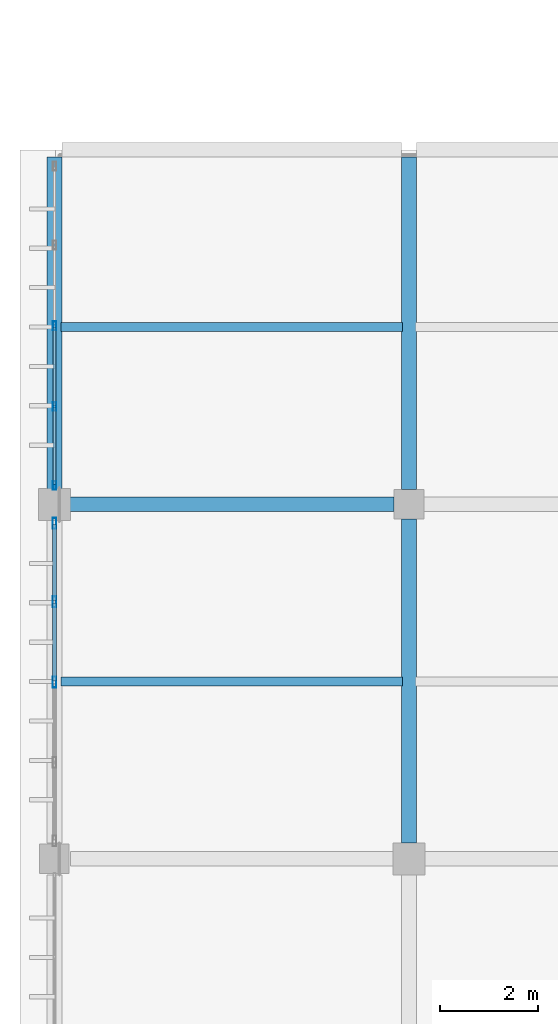
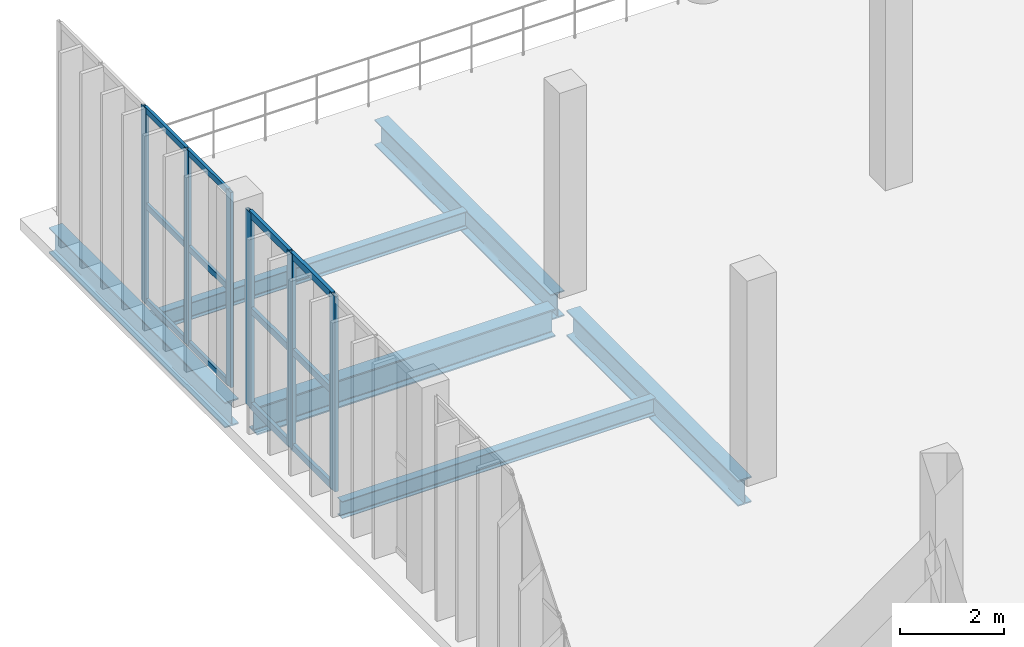
# One storey, part 43 of 105: 18 members, 6 beams, 2 elements without a shape of their own.
"""IFC4 building model written with IfcOpenShell, lengths in metres."""

from ifc_helpers import new_model, si_unit, direction, frame, origin, origin_2d, place, context, subcontext, project, spatial, hollow_rectangle, i_section, extrude, material, material_profile, profile_set, type_object, element, aggregate, save


model = new_model("IFC4")

# Units and contexts
model_context = context("Model", 3, precision=1e-05, world=origin(), true_north=direction((0.0, 1.0)))
body_context = subcontext(model_context, "Body", "Model", "MODEL_VIEW")
ifc_project = project(units=[si_unit("LENGTHUNIT", "METRE"), si_unit("AREAUNIT", "SQUARE_METRE"), si_unit("VOLUMEUNIT", "CUBIC_METRE"), si_unit("PLANEANGLEUNIT", "RADIAN"), si_unit("MASSUNIT", "GRAM", prefix="KILO")], contexts=[model_context])

# Site, building, storey
site_placement = place(None, origin())
site = spatial("IfcSite", under=ifc_project, at=site_placement, CompositionType="ELEMENT")
building_placement = place(site_placement, origin())
building = spatial("IfcBuilding", under=site, at=building_placement, Name="Qandorah Velis Arena", CompositionType="ELEMENT")
storey_placement = place(building_placement, frame((0.0, 0.0, 13.800048828125)))
storey = spatial("IfcBuildingStorey", under=building, at=storey_placement, Name="L03", CompositionType="ELEMENT", Elevation=13.800048828125)

# Curtain wall, members
ifc_material_1 = material(Name="Solar-control low-E double glazing", Category="glass")
curtain_wall_type_1 = type_object("IfcCurtainWallType", Name="ARC-CW-SYS06", PredefinedType="USERDEFINED", material=ifc_material_1)
curtain_wall_1_placement = place(storey_placement, origin())
curtain_wall_1 = element("IfcCurtainWall", 1, at=curtain_wall_1_placement, inside=storey, type_object=curtain_wall_type_1, Name="Unitised curtain wall L03-030", ObjectType="UNITISED CURTAIN WALL", PredefinedType="USERDEFINED")
ifc_material_2 = material(Name="Champagne-bronze anodized aluminium 6063-T6", Category="aluminium")
ifc_material_profile_1 = material_profile(ifc_material_2, hollow_rectangle(XDim=0.06494140625, YDim=0.179931640625, WallThickness=0.00341796875, at=origin_2d()), Name="ALU MULLION 65x180")
ifc_profile_set_1 = profile_set([ifc_material_profile_1], Name="Champagne-bronze anodized aluminium 6063-T6")
member_type_1 = type_object("IfcMemberType", Name="ARC-CWM-180", PredefinedType="MULLION", material=ifc_profile_set_1)
member_1_placement = place(storey_placement, frame((0.0, 108.382568359375, -0.01513671875), z_axis=(0.0, 0.0, 1.0), x_axis=(-1.0, 0.0, 0.0)))
member_1 = element("IfcMember", 2, at=member_1_placement, type_object=member_type_1, Name="CW06 mullion 1", PredefinedType="MULLION", context=body_context, shape_type="SweptSolid", body=[
    extrude(hollow_rectangle(XDim=0.06494140625, YDim=0.179931640625, WallThickness=0.00341796875, at=origin_2d()), origin(), (0.0, 0.0, 1.0), 4.56005859375),
])
member_2_placement = place(storey_placement, frame((0.0, 109.987548828125, -0.01513671875), z_axis=(0.0, 0.0, 1.0), x_axis=(-1.0, 0.0, 0.0)))
member_2 = element("IfcMember", 3, at=member_2_placement, type_object=member_type_1, Name="CW06 mullion 2", PredefinedType="MULLION", context=body_context, shape_type="SweptSolid", body=[
    extrude(hollow_rectangle(XDim=0.06494140625, YDim=0.179931640625, WallThickness=0.00341796875, at=origin_2d()), origin(), (0.0, 0.0, 1.0), 4.56005859375),
])
member_3_placement = place(storey_placement, frame((0.0, 111.625, -0.01513671875), z_axis=(0.0, 0.0, 1.0), x_axis=(-1.0, 0.0, 0.0)))
member_3 = element("IfcMember", 4, at=member_3_placement, type_object=member_type_1, Name="CW06 mullion 3", PredefinedType="MULLION", context=body_context, shape_type="SweptSolid", body=[
    extrude(hollow_rectangle(XDim=0.06494140625, YDim=0.179931640625, WallThickness=0.00341796875, at=origin_2d()), origin(), (0.0, 0.0, 1.0), 4.56005859375),
])

curtain_wall_type_2 = type_object("IfcCurtainWallType", Name="ARC-CW-SYS05", PredefinedType="USERDEFINED", material=ifc_material_1)
curtain_wall_2_placement = place(storey_placement, origin())
curtain_wall_2 = element("IfcCurtainWall", 5, at=curtain_wall_2_placement, inside=storey, type_object=curtain_wall_type_2, Name="Unitised curtain wall L03-029", ObjectType="UNITISED CURTAIN WALL", PredefinedType="USERDEFINED")
ifc_material_profile_2 = material_profile(ifc_material_2, hollow_rectangle(XDim=0.074951171875, YDim=0.219970703125, WallThickness=0.00390625, at=origin_2d()), Name="ALU MULLION 75x220")
ifc_profile_set_2 = profile_set([ifc_material_profile_2], Name="Champagne-bronze anodized aluminium 6063-T6")
member_type_2 = type_object("IfcMemberType", Name="ARC-CWM-220", PredefinedType="MULLION", material=ifc_profile_set_2)
member_4_placement = place(storey_placement, frame((0.0, 104.387451171875, -0.01513671875), z_axis=(0.0, 0.0, 1.0), x_axis=(-1.0, 0.0, 0.0)))
member_4 = element("IfcMember", 6, at=member_4_placement, type_object=member_type_2, Name="CW05 mullion 3", PredefinedType="MULLION", context=body_context, shape_type="SweptSolid", body=[
    extrude(hollow_rectangle(XDim=0.074951171875, YDim=0.219970703125, WallThickness=0.00390625, at=origin_2d()), origin(), (0.0, 0.0, 1.0), 4.56005859375),
])
member_5_placement = place(storey_placement, frame((0.0, 106.018798828125, -0.01513671875), z_axis=(0.0, 0.0, 1.0), x_axis=(-1.0, 0.0, 0.0)))
member_5 = element("IfcMember", 7, at=member_5_placement, type_object=member_type_2, Name="CW05 mullion 4", PredefinedType="MULLION", context=body_context, shape_type="SweptSolid", body=[
    extrude(hollow_rectangle(XDim=0.074951171875, YDim=0.219970703125, WallThickness=0.00390625, at=origin_2d()), origin(), (0.0, 0.0, 1.0), 4.56005859375),
])
member_6_placement = place(storey_placement, frame((0.0, 107.612548828125, -0.01513671875), z_axis=(0.0, 0.0, 1.0), x_axis=(-1.0, 0.0, 0.0)))
member_6 = element("IfcMember", 8, at=member_6_placement, type_object=member_type_2, Name="CW05 mullion 5", PredefinedType="MULLION", context=body_context, shape_type="SweptSolid", body=[
    extrude(hollow_rectangle(XDim=0.074951171875, YDim=0.219970703125, WallThickness=0.00390625, at=origin_2d()), origin(), (0.0, 0.0, 1.0), 4.56005859375),
])

# Member
ifc_material_profile_3 = material_profile(ifc_material_2, hollow_rectangle(XDim=0.06494140625, YDim=0.139892578125, WallThickness=0.0029296875, at=origin_2d()), Name="ALU TRANSOM 65x140")
ifc_profile_set_3 = profile_set([ifc_material_profile_3], Name="Champagne-bronze anodized aluminium 6063-T6")
member_type_3 = type_object("IfcMemberType", Name="ARC-CWT-140", PredefinedType="USERDEFINED", material=ifc_profile_set_3)
member_7_placement = place(storey_placement, frame((0.0, 108.403076171875, 0.032470703125), z_axis=(0.0, 1.0, 0.0), x_axis=(-1.0, 0.0, 0.0)))
member_7 = element("IfcMember", 9, at=member_7_placement, type_object=member_type_3, Name="CW06 transom 1.1", ObjectType="TRANSOM", PredefinedType="USERDEFINED", context=body_context, shape_type="SweptSolid", body=[
    extrude(hollow_rectangle(XDim=0.06494140625, YDim=0.139892578125, WallThickness=0.0029296875, at=origin_2d()), origin(), (0.0, 0.0, 1.0), 1.56396484375),
])

member_8_placement = place(storey_placement, frame((0.0, 108.403076171875, 2.264892578125), z_axis=(0.0, 1.0, 0.0), x_axis=(-1.0, 0.0, 0.0)))
member_8 = element("IfcMember", 10, at=member_8_placement, type_object=member_type_3, Name="CW06 transom 1.2", ObjectType="TRANSOM", PredefinedType="USERDEFINED", context=body_context, shape_type="SweptSolid", body=[
    extrude(hollow_rectangle(XDim=0.06494140625, YDim=0.139892578125, WallThickness=0.0029296875, at=origin_2d()), origin(), (0.0, 0.0, 1.0), 1.56396484375),
])

member_9_placement = place(storey_placement, frame((0.0, 108.403076171875, 4.49755859375), z_axis=(0.0, 1.0, 0.0), x_axis=(-1.0, 0.0, 0.0)))
member_9 = element("IfcMember", 11, at=member_9_placement, type_object=member_type_3, Name="CW06 transom 1.3", ObjectType="TRANSOM", PredefinedType="USERDEFINED", context=body_context, shape_type="SweptSolid", body=[
    extrude(hollow_rectangle(XDim=0.06494140625, YDim=0.139892578125, WallThickness=0.0029296875, at=origin_2d()), origin(), (0.0, 0.0, 1.0), 1.56396484375),
])

member_10_placement = place(storey_placement, frame((0.0, 110.008056640625, 0.032470703125), z_axis=(0.0, 1.0, 0.0), x_axis=(-1.0, 0.0, 0.0)))
member_10 = element("IfcMember", 12, at=member_10_placement, type_object=member_type_3, Name="CW06 transom 2.1", ObjectType="TRANSOM", PredefinedType="USERDEFINED", context=body_context, shape_type="SweptSolid", body=[
    extrude(hollow_rectangle(XDim=0.06494140625, YDim=0.139892578125, WallThickness=0.0029296875, at=origin_2d()), origin(), (0.0, 0.0, 1.0), 1.596435546875),
])

member_11_placement = place(storey_placement, frame((0.0, 110.008056640625, 2.264892578125), z_axis=(0.0, 1.0, 0.0), x_axis=(-1.0, 0.0, 0.0)))
member_11 = element("IfcMember", 13, at=member_11_placement, type_object=member_type_3, Name="CW06 transom 2.2", ObjectType="TRANSOM", PredefinedType="USERDEFINED", context=body_context, shape_type="SweptSolid", body=[
    extrude(hollow_rectangle(XDim=0.06494140625, YDim=0.139892578125, WallThickness=0.0029296875, at=origin_2d()), origin(), (0.0, 0.0, 1.0), 1.596435546875),
])

member_12_placement = place(storey_placement, frame((0.0, 110.008056640625, 4.49755859375), z_axis=(0.0, 1.0, 0.0), x_axis=(-1.0, 0.0, 0.0)))
member_12 = element("IfcMember", 14, at=member_12_placement, type_object=member_type_3, Name="CW06 transom 2.3", ObjectType="TRANSOM", PredefinedType="USERDEFINED", context=body_context, shape_type="SweptSolid", body=[
    extrude(hollow_rectangle(XDim=0.06494140625, YDim=0.139892578125, WallThickness=0.0029296875, at=origin_2d()), origin(), (0.0, 0.0, 1.0), 1.596435546875),
])

aggregate(curtain_wall_1, [member_1, member_2, member_3, member_7, member_8, member_9, member_10, member_11, member_12])

ifc_material_profile_4 = material_profile(ifc_material_2, hollow_rectangle(XDim=0.074951171875, YDim=0.159912109375, WallThickness=0.00341796875, at=origin_2d()), Name="ALU TRANSOM 75x160")
ifc_profile_set_4 = profile_set([ifc_material_profile_4], Name="Champagne-bronze anodized aluminium 6063-T6")
member_type_4 = type_object("IfcMemberType", Name="ARC-CWT-160", PredefinedType="USERDEFINED", material=ifc_profile_set_4)
member_13_placement = place(storey_placement, frame((0.0, 104.4130859375, 0.037353515625), z_axis=(0.0, 1.0, 0.0), x_axis=(-1.0, 0.0, 0.0)))
member_13 = element("IfcMember", 15, at=member_13_placement, type_object=member_type_4, Name="CW05 transom 3.1", ObjectType="TRANSOM", PredefinedType="USERDEFINED", context=body_context, shape_type="SweptSolid", body=[
    extrude(hollow_rectangle(XDim=0.074951171875, YDim=0.159912109375, WallThickness=0.00341796875, at=origin_2d()), origin(), (0.0, 0.0, 1.0), 1.580322265625),
])

member_14_placement = place(storey_placement, frame((0.0, 104.4130859375, 2.264892578125), z_axis=(0.0, 1.0, 0.0), x_axis=(-1.0, 0.0, 0.0)))
member_14 = element("IfcMember", 16, at=member_14_placement, type_object=member_type_4, Name="CW05 transom 3.2", ObjectType="TRANSOM", PredefinedType="USERDEFINED", context=body_context, shape_type="SweptSolid", body=[
    extrude(hollow_rectangle(XDim=0.074951171875, YDim=0.159912109375, WallThickness=0.00341796875, at=origin_2d()), origin(), (0.0, 0.0, 1.0), 1.580322265625),
])

member_15_placement = place(storey_placement, frame((0.0, 104.4130859375, 4.492431640625), z_axis=(0.0, 1.0, 0.0), x_axis=(-1.0, 0.0, 0.0)))
member_15 = element("IfcMember", 17, at=member_15_placement, type_object=member_type_4, Name="CW05 transom 3.3", ObjectType="TRANSOM", PredefinedType="USERDEFINED", context=body_context, shape_type="SweptSolid", body=[
    extrude(hollow_rectangle(XDim=0.074951171875, YDim=0.159912109375, WallThickness=0.00341796875, at=origin_2d()), origin(), (0.0, 0.0, 1.0), 1.580322265625),
])

member_16_placement = place(storey_placement, frame((0.0, 106.044189453125, 0.037353515625), z_axis=(0.0, 1.0, 0.0), x_axis=(-1.0, 0.0, 0.0)))
member_16 = element("IfcMember", 18, at=member_16_placement, type_object=member_type_4, Name="CW05 transom 4.1", ObjectType="TRANSOM", PredefinedType="USERDEFINED", context=body_context, shape_type="SweptSolid", body=[
    extrude(hollow_rectangle(XDim=0.074951171875, YDim=0.159912109375, WallThickness=0.00341796875, at=origin_2d()), origin(), (0.0, 0.0, 1.0), 1.542724609375),
])

member_17_placement = place(storey_placement, frame((0.0, 106.044189453125, 2.264892578125), z_axis=(0.0, 1.0, 0.0), x_axis=(-1.0, 0.0, 0.0)))
member_17 = element("IfcMember", 19, at=member_17_placement, type_object=member_type_4, Name="CW05 transom 4.2", ObjectType="TRANSOM", PredefinedType="USERDEFINED", context=body_context, shape_type="SweptSolid", body=[
    extrude(hollow_rectangle(XDim=0.074951171875, YDim=0.159912109375, WallThickness=0.00341796875, at=origin_2d()), origin(), (0.0, 0.0, 1.0), 1.542724609375),
])

member_18_placement = place(storey_placement, frame((0.0, 106.044189453125, 4.492431640625), z_axis=(0.0, 1.0, 0.0), x_axis=(-1.0, 0.0, 0.0)))
member_18 = element("IfcMember", 20, at=member_18_placement, type_object=member_type_4, Name="CW05 transom 4.3", ObjectType="TRANSOM", PredefinedType="USERDEFINED", context=body_context, shape_type="SweptSolid", body=[
    extrude(hollow_rectangle(XDim=0.074951171875, YDim=0.159912109375, WallThickness=0.00341796875, at=origin_2d()), origin(), (0.0, 0.0, 1.0), 1.542724609375),
])

aggregate(curtain_wall_2, [member_4, member_5, member_6, member_13, member_14, member_15, member_16, member_17, member_18])

# Beams
ifc_material_3 = material(Name="Steel S355", Category="steel")
ifc_material_profile_5 = material_profile(ifc_material_3, i_section(OverallWidth=0.300048828125, OverallDepth=0.60009765625, WebThickness=0.015380859375, FlangeThickness=0.030029296875, FilletRadius=0.027099609375, at=origin_2d()), Name="HEB 600")
ifc_profile_set_5 = profile_set([ifc_material_profile_5], Name="Steel S355")
beam_type_1 = type_object("IfcBeamType", Name="STR-BM-HEB600", PredefinedType="BEAM", material=ifc_profile_set_5)
beam_1_placement = place(storey_placement, frame((0.0, 108.300048828125, -0.6201171875), z_axis=(0.0, 1.0, 0.0), x_axis=(-1.0, 0.0, 0.0)))
element("IfcBeam", 21, at=beam_1_placement, inside=storey, type_object=beam_type_1, Name="Primary floor girder L03 Y-191", PredefinedType="BEAM", context=body_context, shape_type="SweptSolid", body=[
    extrude(i_section(OverallWidth=0.300048828125, OverallDepth=0.60009765625, WebThickness=0.015380859375, FlangeThickness=0.030029296875, FilletRadius=0.027099609375, at=origin_2d()), origin(), (0.0, 0.0, 1.0), 6.75),
])
beam_2_placement = place(storey_placement, frame((7.199951171875, 101.125, -0.6201171875), z_axis=(0.0, 1.0, 0.0), x_axis=(-1.0, 0.0, 0.0)))
element("IfcBeam", 22, at=beam_2_placement, inside=storey, type_object=beam_type_1, Name="Primary floor girder L03 Y-204", PredefinedType="BEAM", context=body_context, shape_type="SweptSolid", body=[
    extrude(i_section(OverallWidth=0.300048828125, OverallDepth=0.60009765625, WebThickness=0.015380859375, FlangeThickness=0.030029296875, FilletRadius=0.027099609375, at=origin_2d()), origin(), (0.0, 0.0, 1.0), 6.574951171875),
])
beam_3_placement = place(storey_placement, frame((7.199951171875, 108.300048828125, -0.6201171875), z_axis=(0.0, 1.0, 0.0), x_axis=(-1.0, 0.0, 0.0)))
element("IfcBeam", 23, at=beam_3_placement, inside=storey, type_object=beam_type_1, Name="Primary floor girder L03 Y-205", PredefinedType="BEAM", context=body_context, shape_type="SweptSolid", body=[
    extrude(i_section(OverallWidth=0.300048828125, OverallDepth=0.60009765625, WebThickness=0.015380859375, FlangeThickness=0.030029296875, FilletRadius=0.027099609375, at=origin_2d()), origin(), (0.0, 0.0, 1.0), 6.75),
])
ifc_material_profile_6 = material_profile(ifc_material_3, i_section(OverallWidth=0.300048828125, OverallDepth=0.64990234375, WebThickness=0.01611328125, FlangeThickness=0.031005859375, FilletRadius=0.027099609375, at=origin_2d()), Name="HEB 650")
ifc_profile_set_6 = profile_set([ifc_material_profile_6], Name="Steel S355")
beam_type_2 = type_object("IfcBeamType", Name="STR-BM-HEB650", PredefinedType="BEAM", material=ifc_profile_set_6)
beam_4_placement = place(storey_placement, frame((0.300048828125, 108.0, -0.64501953125), z_axis=(1.0, 0.0, 0.0), x_axis=(0.0, 1.0, 0.0)))
element("IfcBeam", 24, at=beam_4_placement, inside=storey, type_object=beam_type_2, Name="Primary floor girder L03 X-121", PredefinedType="BEAM", context=body_context, shape_type="SweptSolid", body=[
    extrude(i_section(OverallWidth=0.300048828125, OverallDepth=0.64990234375, WebThickness=0.01611328125, FlangeThickness=0.031005859375, FilletRadius=0.027099609375, at=origin_2d()), origin(), (0.0, 0.0, 1.0), 6.599853515625),
])
ifc_material_profile_7 = material_profile(ifc_material_3, i_section(OverallWidth=0.179931640625, OverallDepth=0.39990234375, WebThickness=0.008544921875, FlangeThickness=0.013427734375, FilletRadius=0.02099609375, at=origin_2d()), Name="IPE 400")
ifc_profile_set_7 = profile_set([ifc_material_profile_7], Name="Steel S355")
beam_type_3 = type_object("IfcBeamType", Name="STR-JST-IPE400", PredefinedType="JOIST", material=ifc_profile_set_7)
for number, where, z_axis, x_axis, name in (
    (25, (0.135009765625, 104.39990234375, -0.52001953125), (1.0, 0.0, 0.0), (0.0, 1.0, 0.0), "Secondary floor joist L03-009"),
    (26, (0.135009765625, 111.60009765625, -0.52001953125), (1.0, 0.0, 0.0), (0.0, 1.0, 0.0), "Secondary floor joist L03-010"),
):
    element("IfcBeam", number, at=place(storey_placement, frame(where, z_axis=z_axis, x_axis=x_axis)), inside=storey, type_object=beam_type_3, Name=name, PredefinedType="JOIST", context=body_context, shape_type="SweptSolid", body=[
        extrude(i_section(OverallWidth=0.179931640625, OverallDepth=0.39990234375, WebThickness=0.008544921875, FlangeThickness=0.013427734375, FilletRadius=0.02099609375, at=origin_2d()), origin(), (0.0, 0.0, 1.0), 6.929931640625),
    ])

save(model, "model.ifc")
